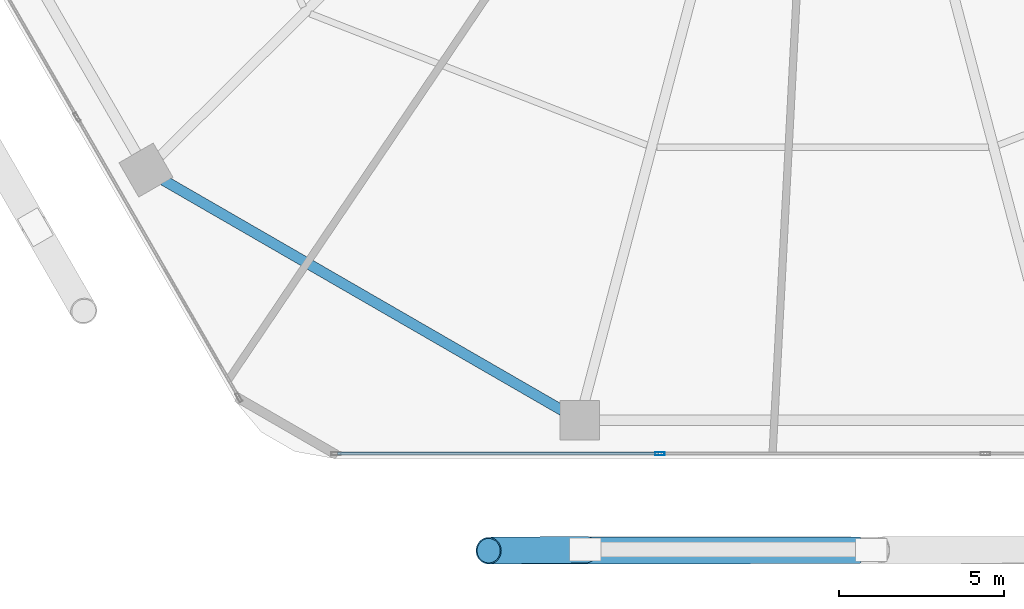
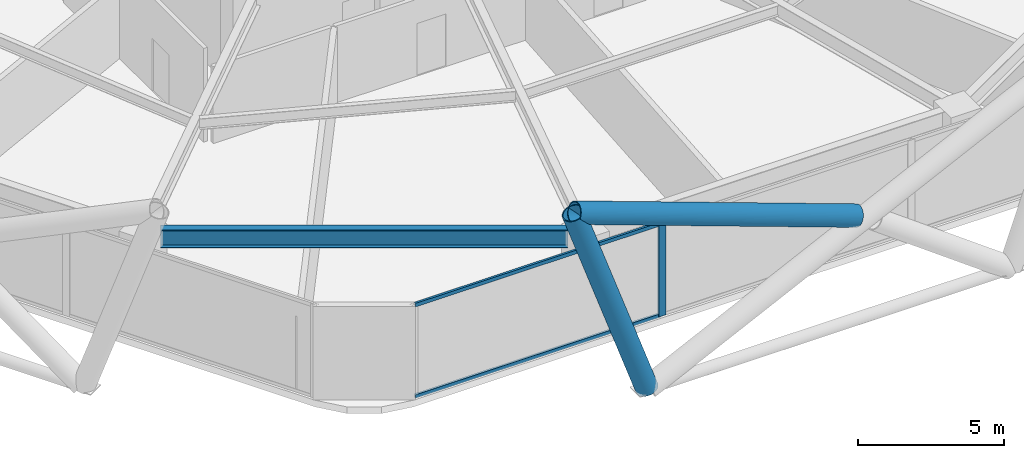
# One storey, part 3 of 28: 5 members, 1 beam, 1 element without a shape of its own.
"""IFC4 building model written with IfcOpenShell, lengths in metres."""

from ifc_helpers import new_model, si_unit, direction, frame, origin, origin_2d, place, context, subcontext, project, spatial, hollow_rectangle, hollow_circle, i_section, extrude, material, material_profile, profile_set, type_object, element, aggregate, save


model = new_model("IFC4")

# Units and contexts
model_context = context("Model", 3, precision=1e-05, world=origin(), true_north=direction((0.0, 1.0)))
body_context = subcontext(model_context, "Body", "Model", "MODEL_VIEW")
ifc_project = project(units=[si_unit("LENGTHUNIT", "METRE"), si_unit("AREAUNIT", "SQUARE_METRE"), si_unit("VOLUMEUNIT", "CUBIC_METRE"), si_unit("PLANEANGLEUNIT", "RADIAN"), si_unit("MASSUNIT", "GRAM", prefix="KILO")], contexts=[model_context])

# Site, building, storey
site_placement = place(None, origin())
site = spatial("IfcSite", under=ifc_project, at=site_placement, CompositionType="ELEMENT")
building_placement = place(site_placement, origin())
building = spatial("IfcBuilding", under=site, at=building_placement, Name="Zuhravey Tower", CompositionType="ELEMENT")
storey_placement = place(building_placement, frame((0.0, 0.0, 49.800048828125)))
storey = spatial("IfcBuildingStorey", under=building, at=storey_placement, Name="L12", CompositionType="ELEMENT", Elevation=49.800048828125)

# Curtain wall, members
ifc_material_1 = material(Name="Thermally broken anodised aluminium", Category="aluminium")
curtain_wall_type = type_object("IfcCurtainWallType", Name="School Low-E Unitised Curtain Wall CW1", PredefinedType="NOTDEFINED", material=ifc_material_1)
curtain_wall_placement = place(storey_placement, origin())
curtain_wall = element("IfcCurtainWall", 1, at=curtain_wall_placement, inside=storey, type_object=curtain_wall_type, Name="L12 CW1 CW-L12-F5-1", PredefinedType="NOTDEFINED")
ifc_material_2 = material(Name="Anodised aluminium", Category="aluminium")
ifc_material_profile_1 = material_profile(ifc_material_2, hollow_rectangle(XDim=0.090087890625, YDim=0.284912109375, WallThickness=0.0048828125, at=origin_2d()), Name="ALU-RHS-90x285x5")
ifc_profile_set_1 = profile_set([ifc_material_profile_1], Name="Anodised aluminium")
member_type_1 = type_object("IfcMemberType", Name="Curtain-Wall Mullion 90x180", PredefinedType="MULLION", material=ifc_profile_set_1)
member_1_placement = place(storey_placement, frame((31.06689453125, 3.04150390625, 0.0), z_axis=(0.0, 0.0, 1.0), x_axis=(0.0, -1.0, 0.0)))
member_1 = element("IfcMember", 2, at=member_1_placement, type_object=member_type_1, Name="CW1 mullion 3", PredefinedType="MULLION", context=body_context, shape_type="SweptSolid", body=[
    extrude(hollow_rectangle(XDim=0.090087890625, YDim=0.284912109375, WallThickness=0.0048828125, at=origin_2d()), origin(), (0.0, 0.0, 1.0), 3.919921875),
])
ifc_material_profile_2 = material_profile(ifc_material_2, hollow_rectangle(XDim=0.090087890625, YDim=0.14990234375, WallThickness=0.0048828125, at=origin_2d()), Name="ALU-RHS-90x150x5")
ifc_profile_set_2 = profile_set([ifc_material_profile_2], Name="Anodised aluminium")
member_type_2 = type_object("IfcMemberType", Name="Curtain-Wall Transom 90x150", PredefinedType="USERDEFINED", material=ifc_profile_set_2)
member_2_placement = place(storey_placement, frame((31.021728515625, 3.04150390625, 0.044921875), z_axis=(-1.0, 0.0, 0.0), x_axis=(0.0, -1.0, 0.0)))
member_2 = element("IfcMember", 3, at=member_2_placement, type_object=member_type_2, Name="CW1 transom 3.1", ObjectType="TRANSOM", PredefinedType="USERDEFINED", context=body_context, shape_type="SweptSolid", body=[
    extrude(hollow_rectangle(XDim=0.090087890625, YDim=0.14990234375, WallThickness=0.0048828125, at=origin_2d()), origin(), (0.0, 0.0, 1.0), 9.731201171875),
])
member_3_placement = place(storey_placement, frame((31.021728515625, 3.04150390625, 3.875), z_axis=(-1.0, 0.0, 0.0), x_axis=(0.0, -1.0, 0.0)))
member_3 = element("IfcMember", 4, at=member_3_placement, type_object=member_type_2, Name="CW1 transom 3.2", ObjectType="TRANSOM", PredefinedType="USERDEFINED", context=body_context, shape_type="SweptSolid", body=[
    extrude(hollow_rectangle(XDim=0.090087890625, YDim=0.14990234375, WallThickness=0.0048828125, at=origin_2d()), origin(), (0.0, 0.0, 1.0), 9.731201171875),
])
aggregate(curtain_wall, [member_1, member_2, member_3])

# Members
ifc_material_3 = material(Name="Steel SM460", Category="steel")
ifc_material_profile_3 = material_profile(ifc_material_3, hollow_circle(Radius=0.406494140625, WallThickness=0.035888671875, at=origin_2d()), Name="CHS-812.8x36")
ifc_profile_set_3 = profile_set([ifc_material_profile_3], Name="Steel SM460")
member_type_3 = type_object("IfcMemberType", Name="Exoskeleton Zone 1 Diagrid CHS813x36", PredefinedType="BRACE", material=ifc_profile_set_3)
member_4_placement = place(storey_placement, frame((28.79833984375, 0.13134765625, -0.47216796875), z_axis=(-0.33063225771, -0.003363950917, 0.943753672308), x_axis=(0.010173770828, -0.999948245854, 0.0)))
element("IfcMember", 5, at=member_4_placement, inside=storey, type_object=member_type_3, Name="L12 Face 5 Diagrid Brace 1", PredefinedType="BRACE", context=body_context, shape_type="SweptSolid", body=[
    extrude(hollow_circle(Radius=0.406494140625, WallThickness=0.035888671875, at=origin_2d()), origin(), (0.0, 0.0, 1.0), 8.854248046875),
])
member_5_placement = place(storey_placement, frame((37.0986328125, 0.115966796875, 3.8408203125), z_axis=(-0.940345089755, -0.001210674296, 0.340219997122), x_axis=(0.001287477657, -0.9999991712, 0.0)))
element("IfcMember", 6, at=member_5_placement, inside=storey, type_object=member_type_3, Name="L12 Face 5 Split Diagrid Brace 3B", PredefinedType="BRACE", context=body_context, shape_type="SweptSolid", body=[
    extrude(hollow_circle(Radius=0.406494140625, WallThickness=0.035888671875, at=origin_2d()), origin(), (0.0, 0.0, 1.0), 11.897705078125),
])

# Beam
ifc_material_4 = material(Name="Steel SM355", Category="steel")
ifc_material_profile_4 = material_profile(ifc_material_4, i_section(OverallWidth=0.320068359375, OverallDepth=0.75, WebThickness=0.013916015625, FlangeThickness=0.02490234375, at=origin_2d()), Name="H-750x320x14x25")
ifc_profile_set_4 = profile_set([ifc_material_profile_4], Name="Steel SM355")
beam_type = type_object("IfcBeamType", Name="Perimeter Ring Beam H750x320", PredefinedType="BEAM", material=ifc_profile_set_4)
beam_placement = place(storey_placement, frame((16.003173828125, 11.341552734375, 3.544921875), z_axis=(0.866029969761, -0.499992091414, 0.0), x_axis=(0.499992091414, 0.866029969761, 0.0)))
element("IfcBeam", 7, at=beam_placement, inside=storey, type_object=beam_type, Name="L12 PB1 BM-L12-PB-08", PredefinedType="BEAM", context=body_context, shape_type="SweptSolid", body=[
    extrude(i_section(OverallWidth=0.320068359375, OverallDepth=0.75, WebThickness=0.013916015625, FlangeThickness=0.02490234375, at=origin_2d()), origin(), (0.0, 0.0, 1.0), 13.977294921875),
])

save(model, "model.ifc")
